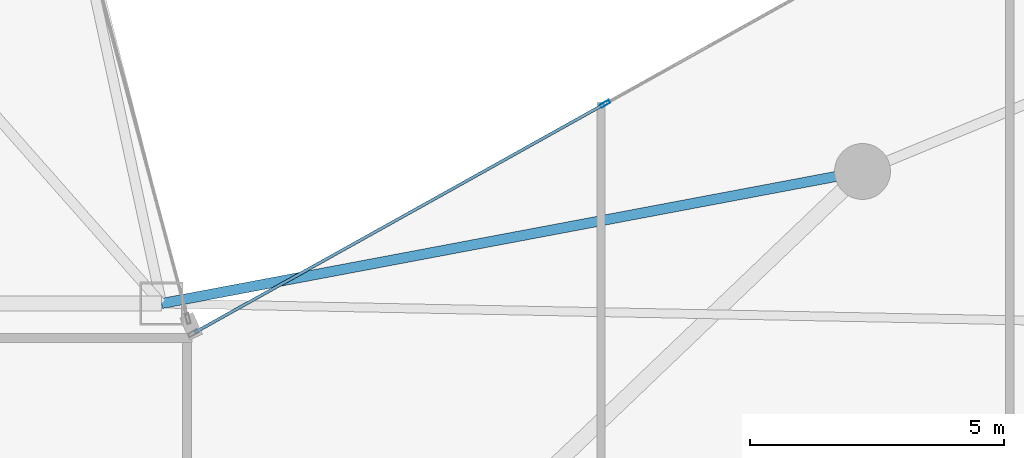
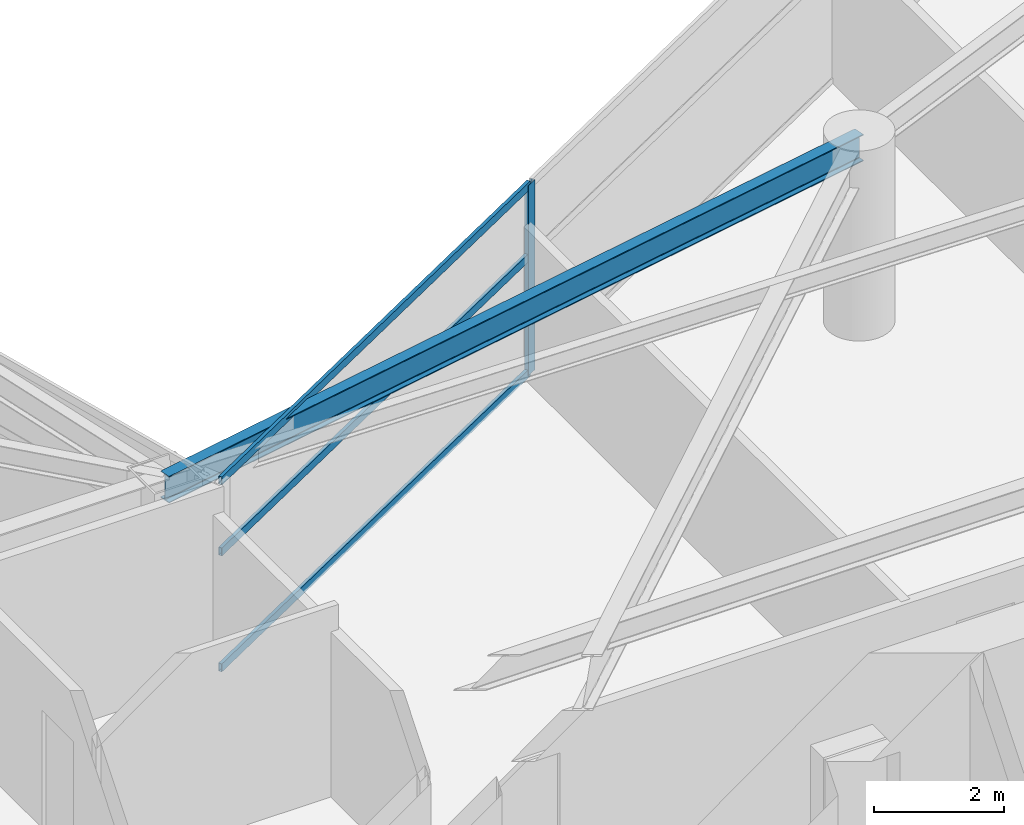
# One storey, part 11 of 29: 4 members, 1 beam, 1 element without a shape of its own.
"""IFC4 building model written with IfcOpenShell, lengths in metres."""

from ifc_helpers import new_model, si_unit, direction, frame, origin, origin_2d, place, context, subcontext, project, spatial, hollow_rectangle, i_section, extrude, material, layer, layer_set, material_profile, profile_set, type_object, element, aggregate, save


model = new_model("IFC4")

# Units and contexts
model_context = context("Model", 3, precision=1e-05, world=origin(), true_north=direction((0.0, 1.0)))
body_context = subcontext(model_context, "Body", "Model", "MODEL_VIEW")
ifc_project = project(units=[si_unit("LENGTHUNIT", "METRE"), si_unit("AREAUNIT", "SQUARE_METRE"), si_unit("VOLUMEUNIT", "CUBIC_METRE"), si_unit("PLANEANGLEUNIT", "RADIAN"), si_unit("MASSUNIT", "GRAM", prefix="KILO")], contexts=[model_context])

# Site, building, storey
site_placement = place(None, origin())
site = spatial("IfcSite", under=ifc_project, at=site_placement, CompositionType="ELEMENT")
building_placement = place(site_placement, origin())
building = spatial("IfcBuilding", under=site, at=building_placement, Name="Calvorn Quay Hotel", CompositionType="ELEMENT")
storey_placement = place(building_placement, frame((0.0, 0.0, 124.0)))
storey = spatial("IfcBuildingStorey", under=building, at=storey_placement, Name="L30", CompositionType="ELEMENT", Elevation=124.0)

# Beam
ifc_material_1 = material(Name="Steel Q355B", Category="steel")
ifc_material_profile_1 = material_profile(ifc_material_1, i_section(OverallWidth=0.199951171875, OverallDepth=0.5, WebThickness=0.010009765625, FlangeThickness=0.01611328125, FilletRadius=0.01611328125, at=origin_2d()), Name="HN500x200x10x16")
ifc_profile_set_1 = profile_set([ifc_material_profile_1], Name="Steel Q355B")
beam_type = type_object("IfcBeamType", Name="BM-SPANDREL-Z1", PredefinedType="SPANDREL", material=ifc_profile_set_1)
beam_placement = place(storey_placement, frame((34.800048828125, 27.60009765625, 3.2900390625), z_axis=(-0.982709432406, -0.185154452988, 0.0), x_axis=(0.185154452988, -0.982709432406, 0.0)))
element("IfcBeam", 1, at=beam_placement, inside=storey, type_object=beam_type, Name="Beam BSP-L30-E5", PredefinedType="SPANDREL", context=body_context, shape_type="SweptSolid", body=[
    extrude(i_section(OverallWidth=0.199951171875, OverallDepth=0.5, WebThickness=0.010009765625, FlangeThickness=0.01611328125, FilletRadius=0.01611328125, at=origin_2d()), origin(), (0.0, 0.0, 1.0), 14.04296875),
])

# Curtain wall, members
ifc_material_2 = material(Name="Pale Anodised Aluminium and Low-E Glass", Category="aluminium")
ifc_layer = layer(ifc_material_2, 0.219970703125)
ifc_layer_set = layer_set([ifc_layer], Name="CW-SYS-Z2")
curtain_wall_type = type_object("IfcCurtainWallType", Name="CW-SYS-Z2", PredefinedType="NOTDEFINED", material=ifc_layer_set)
curtain_wall_placement = place(storey_placement, origin())
curtain_wall = element("IfcCurtainWall", 2, at=curtain_wall_placement, inside=storey, type_object=curtain_wall_type, Name="Inner Court Curtain Wall L30-NE1", PredefinedType="NOTDEFINED")
ifc_material_3 = material(Name="Pale Anodised Aluminium 6063-T6", Category="aluminium")
ifc_material_profile_2 = material_profile(ifc_material_3, hollow_rectangle(XDim=0.070068359375, YDim=0.199951171875, WallThickness=0.00390625, at=origin_2d()), Name="ALU-M200x70x4")
ifc_profile_set_2 = profile_set([ifc_material_profile_2], Name="Pale Anodised Aluminium 6063-T6")
member_type_1 = type_object("IfcMemberType", Name="CW-SYS-Z2-MUL", PredefinedType="MULLION", material=ifc_profile_set_2)
member_1_placement = place(storey_placement, frame((29.7333984375, 28.933349609375, 0.0), z_axis=(0.0, 0.0, 1.0), x_axis=(0.486858256224, -0.873480989116, 0.0)))
member_1 = element("IfcMember", 3, at=member_1_placement, type_object=member_type_1, Name="CW-L30-NE1 mullion 3", PredefinedType="MULLION", context=body_context, shape_type="SweptSolid", body=[
    extrude(hollow_rectangle(XDim=0.070068359375, YDim=0.199951171875, WallThickness=0.00390625, at=origin_2d()), origin(), (0.0, 0.0, 1.0), 3.56005859375),
])
ifc_material_4 = material(Name="Pale Anodised Aluminium 6063-T6", Category="aluminium")
ifc_material_profile_3 = material_profile(ifc_material_4, hollow_rectangle(XDim=0.06005859375, YDim=0.14990234375, WallThickness=0.00341796875, at=origin_2d()), Name="ALU-T150x60x3.5")
ifc_profile_set_3 = profile_set([ifc_material_profile_3], Name="Pale Anodised Aluminium 6063-T6")
member_type_2 = type_object("IfcMemberType", Name="CW-SYS-Z2-TRN", PredefinedType="USERDEFINED", material=ifc_profile_set_3)
member_2_placement = place(storey_placement, frame((29.70703125, 28.918701171875, 0.030029296875), z_axis=(-0.87348080454, -0.486858587375, 0.0), x_axis=(0.486858587375, -0.87348080454, 0.0)))
member_2 = element("IfcMember", 4, at=member_2_placement, type_object=member_type_2, Name="CW-L30-NE1 transom 3.1", ObjectType="TRANSOM", PredefinedType="USERDEFINED", context=body_context, shape_type="SweptSolid", body=[
    extrude(hollow_rectangle(XDim=0.06005859375, YDim=0.14990234375, WallThickness=0.00341796875, at=origin_2d()), origin(), (0.0, 0.0, 1.0), 9.221435546875),
])
member_3_placement = place(storey_placement, frame((29.70703125, 28.918701171875, 2.199951171875), z_axis=(-0.87348080454, -0.486858587375, 0.0), x_axis=(0.486858587375, -0.87348080454, 0.0)))
member_3 = element("IfcMember", 5, at=member_3_placement, type_object=member_type_2, Name="CW-L30-NE1 transom 3.2", ObjectType="TRANSOM", PredefinedType="USERDEFINED", context=body_context, shape_type="SweptSolid", body=[
    extrude(hollow_rectangle(XDim=0.06005859375, YDim=0.14990234375, WallThickness=0.00341796875, at=origin_2d()), origin(), (0.0, 0.0, 1.0), 9.221435546875),
])
member_4_placement = place(storey_placement, frame((29.70703125, 28.918701171875, 3.530029296875), z_axis=(-0.87348080454, -0.486858587375, 0.0), x_axis=(0.486858587375, -0.87348080454, 0.0)))
member_4 = element("IfcMember", 6, at=member_4_placement, type_object=member_type_2, Name="CW-L30-NE1 transom 3.3", ObjectType="TRANSOM", PredefinedType="USERDEFINED", context=body_context, shape_type="SweptSolid", body=[
    extrude(hollow_rectangle(XDim=0.06005859375, YDim=0.14990234375, WallThickness=0.00341796875, at=origin_2d()), origin(), (0.0, 0.0, 1.0), 9.221435546875),
])
aggregate(curtain_wall, [member_1, member_2, member_3, member_4])

save(model, "model.ifc")
